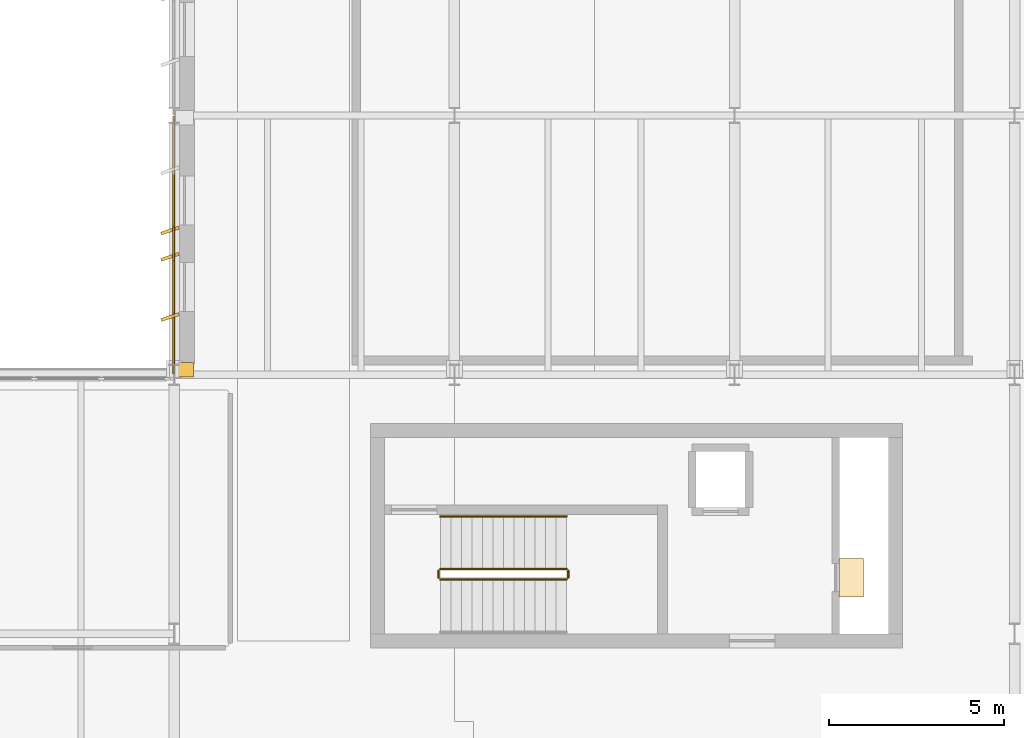
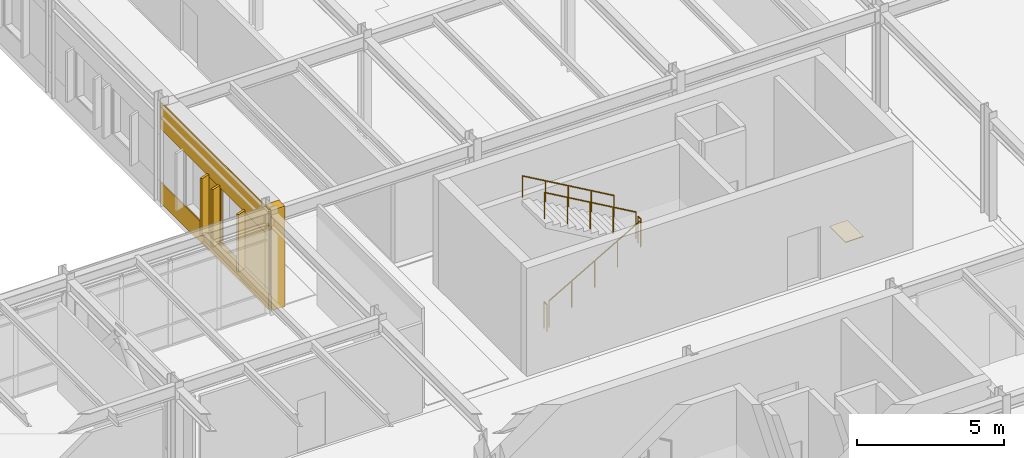
# One storey, part 59 of 75: 9 coverings, 5 railings.
"""IFC4 building model written with IfcOpenShell, lengths in metres."""

from ifc_helpers import new_model, si_unit, direction, frame, frame_2d, origin, origin_2d, place, context, subcontext, project, spatial, polyline, rectangle, circle, outline, extrude, material, layer, layer_set, type_object, element, save


model = new_model("IFC4")

# Units and contexts
model_context = context("Model", 3, precision=1e-05, world=origin(), true_north=direction((0.0, 1.0)))
body_context = subcontext(model_context, "Body", "Model", "MODEL_VIEW")
ifc_project = project(units=[si_unit("LENGTHUNIT", "METRE"), si_unit("AREAUNIT", "SQUARE_METRE"), si_unit("VOLUMEUNIT", "CUBIC_METRE"), si_unit("PLANEANGLEUNIT", "RADIAN"), si_unit("MASSUNIT", "GRAM", prefix="KILO")], contexts=[model_context])

# Site, building, storey
site_placement = place(None, origin())
site = spatial("IfcSite", under=ifc_project, at=site_placement, CompositionType="ELEMENT")
building_placement = place(site_placement, origin())
building = spatial("IfcBuilding", under=site, at=building_placement, Name="Valkorina Park Police Headquarters", CompositionType="ELEMENT")
storey_placement = place(building_placement, frame((0.0, 0.0, 5.39990234375)))
storey = spatial("IfcBuildingStorey", under=building, at=storey_placement, Name="L02", CompositionType="ELEMENT", Elevation=5.39990234375)

# Coverings
ifc_material_1 = material(Name="Precast concrete C40/50", Category="concrete")
ifc_layer_1 = layer(ifc_material_1, 0.044921875)
ifc_layer_set_1 = layer_set([ifc_layer_1], Name="Precast concrete C40/50")
covering_type_1 = type_object("IfcCoveringType", Name="COV-CLAD-DOLOMITE", PredefinedType="CLADDING", material=ifc_layer_set_1)
covering_1_placement = place(storey_placement, frame((33.090087890625, 59.340087890625, 0.000244140625), z_axis=(0.0, 0.0, 1.0), x_axis=(0.0, 1.0, 0.0)))
element("IfcCovering", 1, at=covering_1_placement, inside=storey, type_object=covering_type_1, Name="L02 Exterior Joint Closure Pilaster A 1013", PredefinedType="CLADDING", context=body_context, shape_type="SweptSolid", body=[
    extrude(rectangle(XDim=0.419921875, YDim=0.52197265625, at=origin_2d()), origin(), (0.0, 0.0, 1.0), 4.169921875),
])
for number, where, z_axis, x_axis, name in (
    (2, (32.679931640625, 60.843505859375, 0.7802734375), (0.0, 0.0, 1.0), (-0.948323655206, -0.317304656405, 0.0), "Slanted 18.5-deg Precast Window Slot Fin 1015"),
    (3, (32.679931640625, 62.563720703125, 0.7802734375), (0.0, 0.0, 1.0), (-0.948323655206, -0.317304656405, 0.0), "Slanted 18.5-deg Precast Window Slot Fin 1016"),
    (4, (32.679931640625, 63.311279296875, 0.7802734375), (0.0, 0.0, 1.0), (-0.948323655206, -0.317304656405, 0.0), "Slanted 18.5-deg Precast Window Slot Fin 1017"),
):
    element("IfcCovering", number, at=place(storey_placement, frame(where, z_axis=z_axis, x_axis=x_axis)), inside=storey, type_object=covering_type_1, Name=name, PredefinedType="CLADDING", context=body_context, shape_type="SweptSolid", body=[
        extrude(rectangle(XDim=0.5400390625, YDim=0.090087890625, at=origin_2d()), origin(), (0.0, 0.0, 1.0), 2.389892578125),
    ])
covering_2_placement = place(storey_placement, frame((32.784912109375, 59.219970703125, 0.0), z_axis=(0.0, 0.0, 1.0), x_axis=(0.0, 1.0, 0.0)))
element("IfcCovering", 5, at=covering_2_placement, inside=storey, type_object=covering_type_1, Name="L02 Calm Concrete Base Sill Spandrel 1019", PredefinedType="CLADDING", context=body_context, shape_type="SweptSolid", body=[
    extrude(rectangle(XDim=7.360107421875, YDim=0.044921875, at=frame_2d((3.68017578125, 0.0))), origin(), (0.0, 0.0, 1.0), 0.8701171875),
])
covering_3_placement = place(storey_placement, frame((32.784912109375, 59.219970703125, 3.080078125), z_axis=(0.0, 0.0, 1.0), x_axis=(0.0, 1.0, 0.0)))
element("IfcCovering", 6, at=covering_3_placement, inside=storey, type_object=covering_type_1, Name="L02 Calm Concrete Base Lintel Spandrel 1020", PredefinedType="CLADDING", context=body_context, shape_type="SweptSolid", body=[
    extrude(rectangle(XDim=7.360107421875, YDim=0.044921875, at=frame_2d((3.68017578125, 0.0))), origin(), (0.0, 0.0, 1.0), 1.090087890625),
])
covering_4_placement = place(storey_placement, frame((32.784912109375, 59.219970703125, 0.8701171875), z_axis=(0.0, 0.0, 1.0), x_axis=(0.0, 1.0, 0.0)))
element("IfcCovering", 7, at=covering_4_placement, inside=storey, type_object=covering_type_1, Name="L02 Calm Concrete Base Slot Pier 1021", PredefinedType="CLADDING", context=body_context, shape_type="SweptSolid", body=[
    extrude(rectangle(XDim=1.733642578125, YDim=0.044921875, at=frame_2d((0.86669921875, 0.0))), origin(), (0.0, 0.0, 1.0), 2.2099609375),
])
covering_5_placement = place(storey_placement, frame((32.784912109375, 62.45361328125, 0.8701171875), z_axis=(0.0, 0.0, 1.0), x_axis=(0.0, 1.0, 0.0)))
element("IfcCovering", 8, at=covering_5_placement, inside=storey, type_object=covering_type_1, Name="L02 Calm Concrete Base Slot Pier 1022", PredefinedType="CLADDING", context=body_context, shape_type="SweptSolid", body=[
    extrude(rectangle(XDim=0.9677734375, YDim=0.044921875, at=frame_2d((0.48388671875, 0.0))), origin(), (0.0, 0.0, 1.0), 2.2099609375),
])
ifc_material_2 = material(Name="Resin terrazzo flooring")
ifc_layer_2 = layer(ifc_material_2, 0.030029296875)
ifc_layer_set_2 = layer_set([ifc_layer_2], Name="Resin terrazzo flooring")
covering_type_2 = type_object("IfcCoveringType", Name="COV-FLOOR-TERRAZZO", PredefinedType="FLOORING", material=ifc_layer_set_2)
covering_6_placement = place(storey_placement, origin())
element("IfcCovering", 9, at=covering_6_placement, inside=storey, type_object=covering_type_2, Name="Core C3 L02 Riser Inspection Threshold Grate", PredefinedType="FLOORING", context=body_context, shape_type="SweptSolid", body=[
    extrude(outline(polyline([(52.47998046875, 52.85009765625), (52.47998046875, 53.949951171875), (51.780029296875, 53.949951171875), (51.780029296875, 52.85009765625), (52.47998046875, 52.85009765625)])), origin(), (0.0, 0.0, 1.0), 0.030029296875),
])

# Railings
ifc_material_3 = material(Name="Stainless steel EN 1.4404", Category="steel")
railing_type_1 = type_object("IfcRailingType", Name="RL-GUARD-INT-1100", PredefinedType="BALUSTRADE", material=ifc_material_3)
railing_1_placement = place(storey_placement, frame((40.39990234375, 53.35009765625, 0.173095703125)))
element("IfcRailing", 10, at=railing_1_placement, inside=storey, type_object=railing_type_1, Name="L02 Core C3 Stair Guard 1", PredefinedType="BALUSTRADE", context=body_context, shape_type="SweptSolid", body=[
    extrude(circle(Radius=0.02392578125, at=origin_2d()), frame((0.0, 0.0, 1.09619140625), z_axis=(0.866193409371, 0.0, 0.499708892819), x_axis=(0.0, 1.0, 0.0)), (0.0, 0.0, 1.0), 4.15625),
    extrude(circle(Radius=0.02099609375, at=origin_2d()), origin(), (0.0, 0.0, 1.0), 1.072021484375),
    extrude(circle(Radius=0.02099609375, at=origin_2d()), frame((0.89990234375, 0.0, 0.519287109375)), (0.0, 0.0, 1.0), 1.072021484375),
    extrude(circle(Radius=0.02099609375, at=origin_2d()), frame((1.800048828125, 0.0, 1.03857421875)), (0.0, 0.0, 1.0), 1.072021484375),
    extrude(circle(Radius=0.02099609375, at=origin_2d()), frame((2.7001953125, 0.0, 1.5576171875)), (0.0, 0.0, 1.0), 1.072021484375),
    extrude(circle(Radius=0.02099609375, at=origin_2d()), frame((3.60009765625, 0.0, 2.076904296875)), (0.0, 0.0, 1.0), 1.072021484375),
])
railing_2_placement = place(storey_placement, frame((44.050048828125, 53.39990234375, 2.25)))
element("IfcRailing", 11, at=railing_2_placement, inside=storey, type_object=railing_type_1, Name="L02 Core C3 Stair Guard 2", PredefinedType="BALUSTRADE", context=body_context, shape_type="SweptSolid", body=[
    extrude(circle(Radius=0.02392578125, at=origin_2d()), frame((0.0, 0.0, 1.09619140625), z_axis=(0.0, 1.0, 0.0), x_axis=(-1.0, 0.0, 0.0)), (0.0, 0.0, 1.0), 0.2001953125),
    extrude(circle(Radius=0.02099609375, at=origin_2d()), origin(), (0.0, 0.0, 1.0), 1.072021484375),
    extrude(circle(Radius=0.02099609375, at=origin_2d()), frame((0.0, 0.2001953125, 0.0)), (0.0, 0.0, 1.0), 1.072021484375),
])
railing_3_placement = place(storey_placement, frame((44.0, 53.64990234375, 2.423095703125)))
element("IfcRailing", 12, at=railing_3_placement, inside=storey, type_object=railing_type_1, Name="L02 Core C3 Stair Guard 3", PredefinedType="BALUSTRADE", context=body_context, shape_type="SweptSolid", body=[
    extrude(circle(Radius=0.02392578125, at=origin_2d()), frame((0.0, 0.0, 1.09619140625), z_axis=(-0.866193409371, 0.0, 0.499708892819), x_axis=(0.0, -1.0, 0.0)), (0.0, 0.0, 1.0), 4.15625),
    extrude(circle(Radius=0.02099609375, at=origin_2d()), origin(), (0.0, 0.0, 1.0), 1.072021484375),
    extrude(circle(Radius=0.02099609375, at=origin_2d()), frame((-0.89990234375, 0.0, 0.519287109375)), (0.0, 0.0, 1.0), 1.072021484375),
    extrude(circle(Radius=0.02099609375, at=origin_2d()), frame((-1.800048828125, 0.0, 1.03857421875)), (0.0, 0.0, 1.0), 1.072021484375),
    extrude(circle(Radius=0.02099609375, at=origin_2d()), frame((-2.7001953125, 0.0, 1.5576171875)), (0.0, 0.0, 1.0), 1.072021484375),
    extrude(circle(Radius=0.02099609375, at=origin_2d()), frame((-3.60009765625, 0.0, 2.076904296875)), (0.0, 0.0, 1.0), 1.072021484375),
])
railing_4_placement = place(storey_placement, frame((40.35009765625, 53.39990234375, 0.0)))
element("IfcRailing", 13, at=railing_4_placement, inside=storey, type_object=railing_type_1, Name="L02 Core C3 Stair Guard 4", PredefinedType="BALUSTRADE", context=body_context, shape_type="SweptSolid", body=[
    extrude(circle(Radius=0.02392578125, at=origin_2d()), frame((0.0, 0.0, 1.09619140625), z_axis=(0.0, 1.0, 0.0), x_axis=(-1.0, 0.0, 0.0)), (0.0, 0.0, 1.0), 0.2001953125),
    extrude(circle(Radius=0.02099609375, at=origin_2d()), origin(), (0.0, 0.0, 1.0), 1.072021484375),
    extrude(circle(Radius=0.02099609375, at=origin_2d()), frame((0.0, 0.2001953125, 0.0)), (0.0, 0.0, 1.0), 1.072021484375),
])
railing_type_2 = type_object("IfcRailingType", Name="RL-HANDRAIL-900", PredefinedType="HANDRAIL", material=ifc_material_3)
railing_5_placement = place(storey_placement, frame((44.0, 55.14990234375, 2.423095703125)))
element("IfcRailing", 14, at=railing_5_placement, inside=storey, type_object=railing_type_2, Name="L02 Core C3 Stair Handrail 2", PredefinedType="HANDRAIL", context=body_context, shape_type="SweptSolid", body=[
    extrude(circle(Radius=0.02392578125, at=origin_2d()), frame((0.0, 0.0, 0.8759765625), z_axis=(-0.866193409371, 0.0, 0.499708892819), x_axis=(0.0, -1.0, 0.0)), (0.0, 0.0, 1.0), 4.15625),
    extrude(circle(Radius=0.02099609375, at=origin_2d()), origin(), (0.0, 0.0, 1.0), 0.851806640625),
    extrude(circle(Radius=0.02099609375, at=origin_2d()), frame((-0.89990234375, 0.0, 0.519287109375)), (0.0, 0.0, 1.0), 0.851806640625),
    extrude(circle(Radius=0.02099609375, at=origin_2d()), frame((-1.800048828125, 0.0, 1.03857421875)), (0.0, 0.0, 1.0), 0.851806640625),
    extrude(circle(Radius=0.02099609375, at=origin_2d()), frame((-2.7001953125, 0.0, 1.5576171875)), (0.0, 0.0, 1.0), 0.851806640625),
    extrude(circle(Radius=0.02099609375, at=origin_2d()), frame((-3.60009765625, 0.0, 2.076904296875)), (0.0, 0.0, 1.0), 0.851806640625),
])

save(model, "model.ifc")
